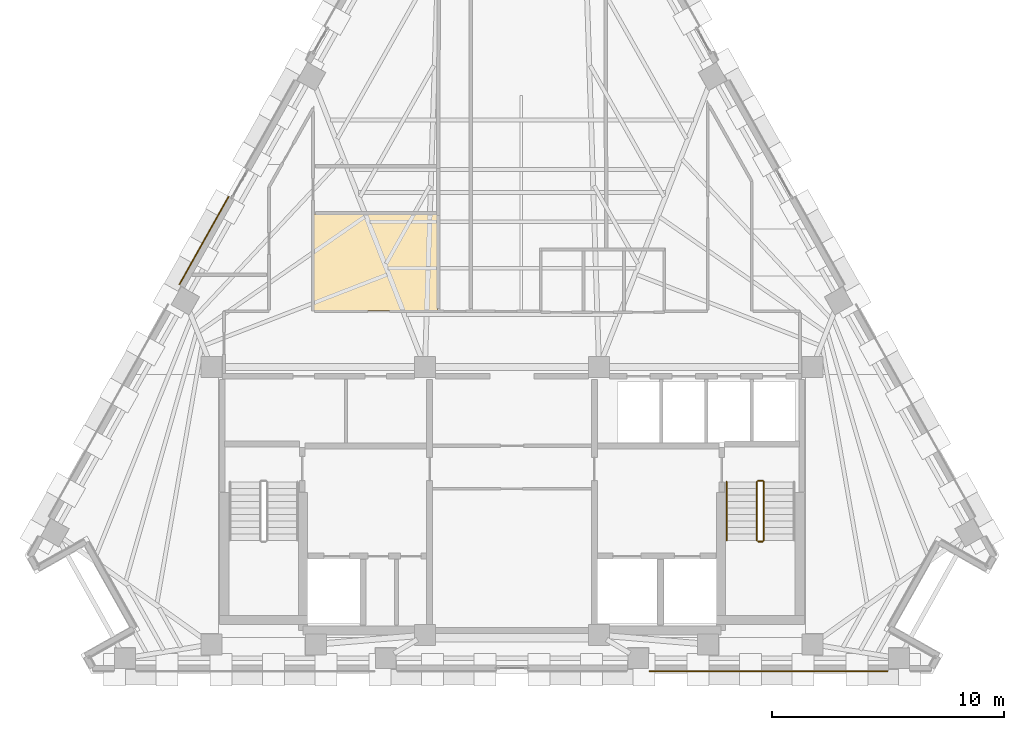
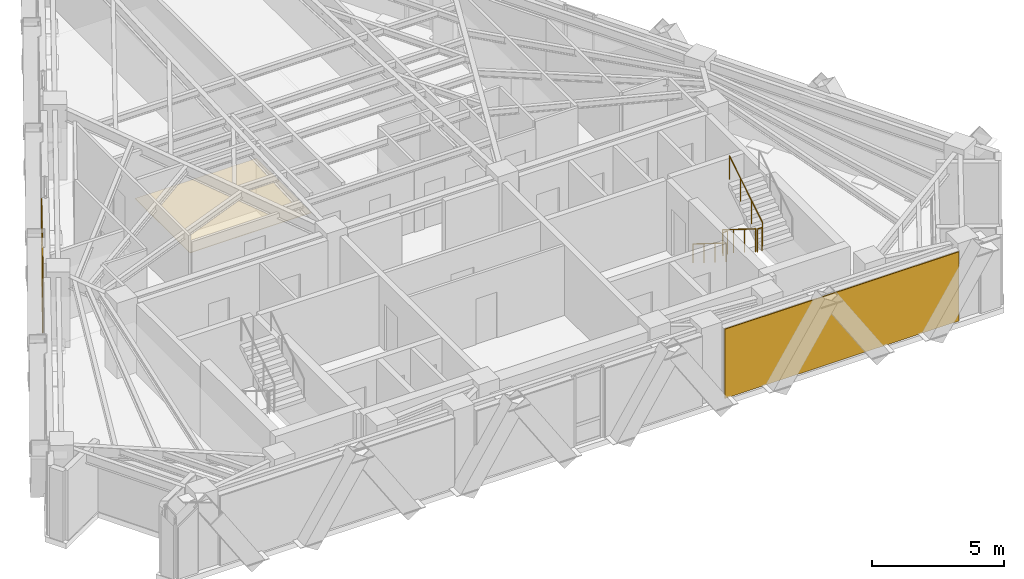
# One storey, part 11 of 12: 5 railings, 3 coverings.
"""IFC4 building model written with IfcOpenShell, lengths in metres."""

from ifc_helpers import new_model, si_unit, direction, frame, origin, origin_2d, place, context, subcontext, project, spatial, polyline, circle, outline, extrude, material, layer, layer_set, type_object, element, save


model = new_model("IFC4")

# Units and contexts
model_context = context("Model", 3, precision=1e-05, world=origin(), true_north=direction((0.0, 1.0)))
body_context = subcontext(model_context, "Body", "Model", "MODEL_VIEW")
ifc_project = project(units=[si_unit("LENGTHUNIT", "METRE"), si_unit("AREAUNIT", "SQUARE_METRE"), si_unit("VOLUMEUNIT", "CUBIC_METRE"), si_unit("PLANEANGLEUNIT", "RADIAN"), si_unit("MASSUNIT", "GRAM", prefix="KILO")], contexts=[model_context])

# Site, building, storey
site_placement = place(None, origin())
site = spatial("IfcSite", under=ifc_project, at=site_placement, CompositionType="ELEMENT")
building_placement = place(site_placement, origin())
building = spatial("IfcBuilding", under=site, at=building_placement, Name="Quenlor Broadcast Tower", CompositionType="ELEMENT")
storey_placement = place(building_placement, frame((0.0, 0.0, 218.39990234375)))
storey = spatial("IfcBuildingStorey", under=building, at=storey_placement, Name="L60", CompositionType="ELEMENT", Elevation=218.39990234375)

# Coverings
ifc_material_1 = material(Name="Acoustic Mineral Fibre Board", Category="other")
ifc_layer_1 = layer(ifc_material_1, 0.02490234375)
ifc_layer_set_1 = layer_set([ifc_layer_1], Name="Acoustic Perforated Mineral Tile Ceiling 25")
covering_type_1 = type_object("IfcCoveringType", Name="Acoustic Perforated Mineral Tile Ceiling 25", PredefinedType="CEILING", material=ifc_layer_set_1)
covering_1_placement = place(storey_placement, frame((0.0, 0.0, 2.375)))
element("IfcCovering", 1, at=covering_1_placement, inside=storey, type_object=covering_type_1, Name="L60 Acoustic Ceiling L60-29", PredefinedType="CEILING", context=body_context, shape_type="SweptSolid", body=[
    extrude(outline(polyline([(-3.219970703125, 1.7841796875), (-3.219970703125, -2.3701171875), (-8.5400390625, -2.3701171875), (-8.5400390625, 1.7841796875), (-3.219970703125, 1.7841796875)])), origin(), (0.0, 0.0, 1.0), 0.025146484375),
])
ifc_material_2 = material(Name="Architectural Terracotta Ceramic", Category="masonry")
ifc_layer_2 = layer(ifc_material_2, 0.044921875)
ifc_layer_set_2 = layer_set([ifc_layer_2], Name="Fluted Terracotta Rainscreen Cladding Panel")
covering_type_2 = type_object("IfcCoveringType", Name="Fluted Terracotta Rainscreen Cladding Panel", PredefinedType="CLADDING", material=ifc_layer_set_2)
covering_2_placement = place(storey_placement, frame((0.0, 0.0, 0.02001953125)))
element("IfcCovering", 2, at=covering_2_placement, inside=storey, type_object=covering_type_2, Name="L60 Terracotta Rainscreen Cladding L60-EW-SA", PredefinedType="CLADDING", context=body_context, shape_type="SweptSolid", body=[
    extrude(outline(polyline([(16.19091796875, -17.89697265625), (5.9228515625, -17.89697265625), (5.9228515625, -17.94189453125), (16.19091796875, -17.94189453125), (16.19091796875, -17.89697265625)])), origin(), (0.0, 0.0, 1.0), 3.2099609375),
])
covering_3_placement = place(storey_placement, frame((0.0, 0.0, 0.02001953125)))
element("IfcCovering", 3, at=covering_3_placement, inside=storey, type_object=covering_type_2, Name="L60 Terracotta Rainscreen Cladding L60-NW-SP1", PredefinedType="CLADDING", context=body_context, shape_type="SweptSolid", body=[
    extrude(outline(polyline([(-14.30908203125, -1.248291015625), (-12.187255859375, 2.523681640625), (-12.2265625, 2.5458984375), (-14.34814453125, -1.226318359375), (-14.30908203125, -1.248291015625)])), origin(), (0.0, 0.0, 1.0), 3.2099609375),
])

# Railings
ifc_material_3 = material(Name="Anodised Aluminium", Category="aluminium")
railing_type_1 = type_object("IfcRailingType", Name="Stainless Aluminium Wall Handrail 900", PredefinedType="HANDRAIL", material=ifc_material_3)
railing_1_placement = place(storey_placement, frame((9.25, -9.75, 0.175048828125)))
element("IfcRailing", 4, at=railing_1_placement, inside=storey, type_object=railing_type_1, Name="L60 ST-2 stair handrail 1", PredefinedType="HANDRAIL", context=body_context, shape_type="SweptSolid", body=[
    extrude(circle(Radius=0.02392578125, at=origin_2d()), frame((0.0, 0.0, 0.8759765625), z_axis=(0.0, -0.848007534815, 0.529984170421), x_axis=(1.0, 0.0, 0.0)), (0.0, 0.0, 1.0), 2.9716796875),
    extrude(circle(Radius=0.02099609375, at=origin_2d()), origin(), (0.0, 0.0, 1.0), 0.851806640625),
    extrude(circle(Radius=0.02099609375, at=origin_2d()), frame((0.0, -0.840087890625, 0.52490234375)), (0.0, 0.0, 1.0), 0.851806640625),
    extrude(circle(Radius=0.02099609375, at=origin_2d()), frame((0.0, -1.679931640625, 1.050048828125)), (0.0, 0.0, 1.0), 0.851806640625),
    extrude(circle(Radius=0.02099609375, at=origin_2d()), frame((0.0, -2.52001953125, 1.574951171875)), (0.0, 0.0, 1.0), 0.851806640625),
])
ifc_material_4 = material(Name="Steel S355", Category="steel")
railing_type_2 = type_object("IfcRailingType", Name="Tubular Steel S355 Stair Guardrail 1100", PredefinedType="BALUSTRADE", material=ifc_material_4)
railing_2_placement = place(storey_placement, frame((10.550048828125, -9.75, 0.175048828125)))
element("IfcRailing", 5, at=railing_2_placement, inside=storey, type_object=railing_type_2, Name="L60 ST-2 stair guard 1", PredefinedType="BALUSTRADE", context=body_context, shape_type="SweptSolid", body=[
    extrude(circle(Radius=0.02392578125, at=origin_2d()), frame((0.0, 0.0, 1.076171875), z_axis=(0.0, -0.848007534815, 0.529984170421), x_axis=(1.0, 0.0, 0.0)), (0.0, 0.0, 1.0), 2.9716796875),
    extrude(circle(Radius=0.02099609375, at=origin_2d()), origin(), (0.0, 0.0, 1.0), 1.052001953125),
    extrude(circle(Radius=0.02099609375, at=origin_2d()), frame((0.0, -0.840087890625, 0.52490234375)), (0.0, 0.0, 1.0), 1.052001953125),
    extrude(circle(Radius=0.02099609375, at=origin_2d()), frame((0.0, -1.679931640625, 1.050048828125)), (0.0, 0.0, 1.0), 1.052001953125),
    extrude(circle(Radius=0.02099609375, at=origin_2d()), frame((0.0, -2.52001953125, 1.574951171875)), (0.0, 0.0, 1.0), 1.052001953125),
])
railing_3_placement = place(storey_placement, frame((10.60009765625, -12.320068359375, 1.75)))
element("IfcRailing", 6, at=railing_3_placement, inside=storey, type_object=railing_type_2, Name="L60 ST-2 stair guard 2", PredefinedType="BALUSTRADE", context=body_context, shape_type="SweptSolid", body=[
    extrude(circle(Radius=0.02392578125, at=origin_2d()), frame((0.0, 0.0, 1.076171875), z_axis=(1.0, 0.0, 0.0), x_axis=(0.0, 1.0, 0.0)), (0.0, 0.0, 1.0), 0.199951171875),
    extrude(circle(Radius=0.02099609375, at=origin_2d()), origin(), (0.0, 0.0, 1.0), 1.052001953125),
    extrude(circle(Radius=0.02099609375, at=origin_2d()), frame((0.199951171875, 0.0, 0.0)), (0.0, 0.0, 1.0), 1.052001953125),
])
railing_4_placement = place(storey_placement, frame((10.85009765625, -12.27001953125, 1.925048828125)))
element("IfcRailing", 7, at=railing_4_placement, inside=storey, type_object=railing_type_2, Name="L60 ST-2 stair guard 3", PredefinedType="BALUSTRADE", context=body_context, shape_type="SweptSolid", body=[
    extrude(circle(Radius=0.02392578125, at=origin_2d()), frame((0.0, 0.0, 1.076171875), z_axis=(0.0, 0.848007534815, 0.529984170421), x_axis=(-1.0, 0.0, 0.0)), (0.0, 0.0, 1.0), 2.9716796875),
    extrude(circle(Radius=0.02099609375, at=origin_2d()), origin(), (0.0, 0.0, 1.0), 1.052001953125),
    extrude(circle(Radius=0.02099609375, at=origin_2d()), frame((0.0, 0.840087890625, 0.52490234375)), (0.0, 0.0, 1.0), 1.052001953125),
    extrude(circle(Radius=0.02099609375, at=origin_2d()), frame((0.0, 1.679931640625, 1.050048828125)), (0.0, 0.0, 1.0), 1.052001953125),
    extrude(circle(Radius=0.02099609375, at=origin_2d()), frame((0.0, 2.52001953125, 1.574951171875)), (0.0, 0.0, 1.0), 1.052001953125),
])
railing_5_placement = place(storey_placement, frame((10.60009765625, -9.699951171875, 0.0)))
element("IfcRailing", 8, at=railing_5_placement, inside=storey, type_object=railing_type_2, Name="L60 ST-2 stair guard 4", PredefinedType="BALUSTRADE", context=body_context, shape_type="SweptSolid", body=[
    extrude(circle(Radius=0.02392578125, at=origin_2d()), frame((0.0, 0.0, 1.076171875), z_axis=(1.0, 0.0, 0.0), x_axis=(0.0, 1.0, 0.0)), (0.0, 0.0, 1.0), 0.199951171875),
    extrude(circle(Radius=0.02099609375, at=origin_2d()), origin(), (0.0, 0.0, 1.0), 1.052001953125),
    extrude(circle(Radius=0.02099609375, at=origin_2d()), frame((0.199951171875, 0.0, 0.0)), (0.0, 0.0, 1.0), 1.052001953125),
])

save(model, "model.ifc")
